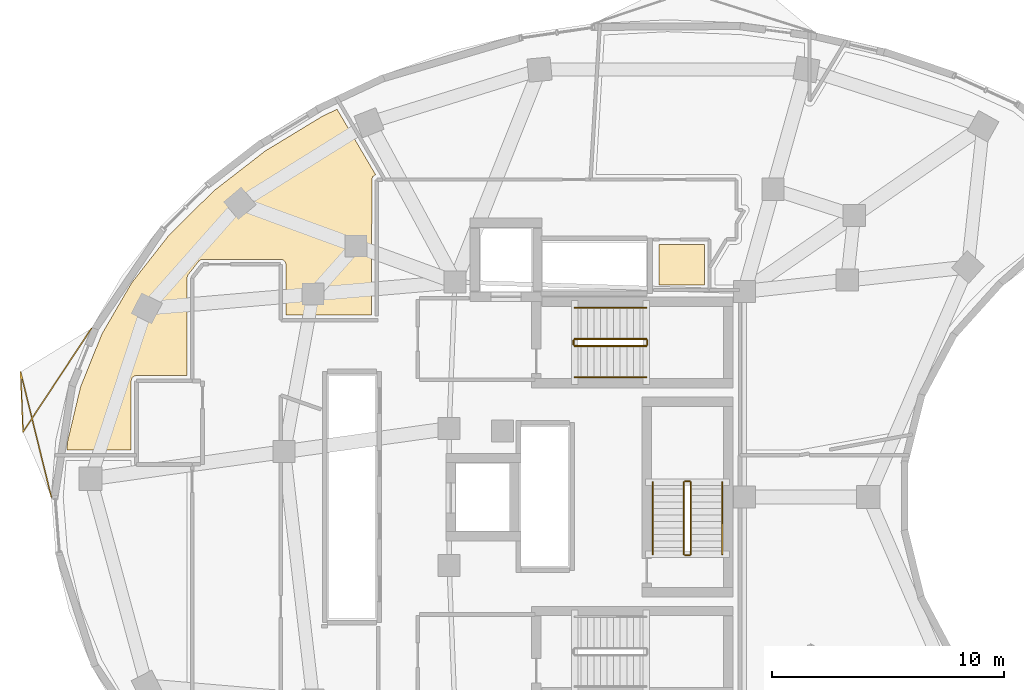
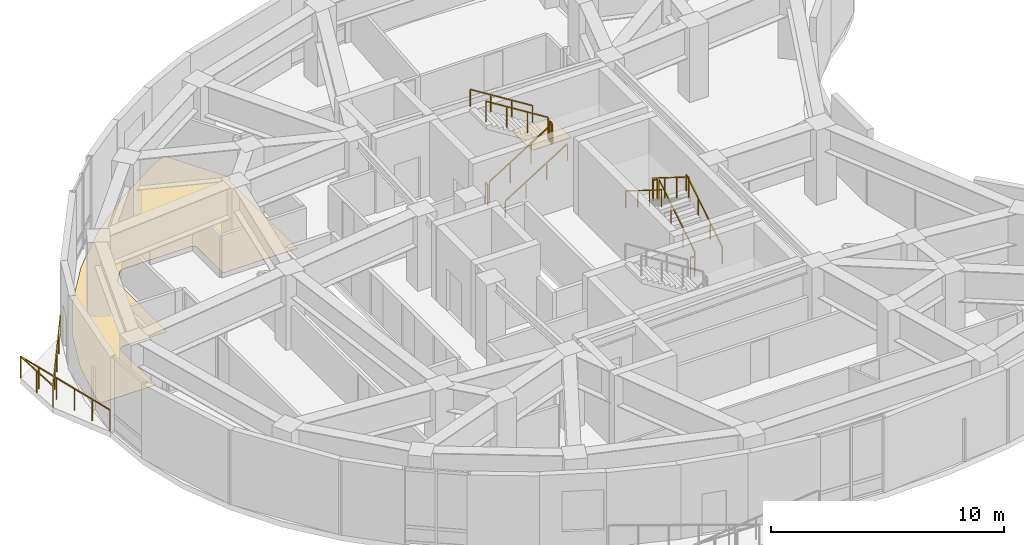
# One storey, part 11 of 12: 13 railings, 2 coverings.
"""IFC4 building model written with IfcOpenShell, lengths in metres."""

from ifc_helpers import new_model, si_unit, direction, frame, origin, origin_2d, place, context, subcontext, project, spatial, polyline, rectangle, outline, extrude, material, layer, layer_set, type_object, element, save


model = new_model("IFC4")

# Units and contexts
model_context = context("Model", 3, precision=1e-05, world=origin(), true_north=direction((0.0, 1.0)))
body_context = subcontext(model_context, "Body", "Model", "MODEL_VIEW")
ifc_project = project(units=[si_unit("LENGTHUNIT", "METRE"), si_unit("AREAUNIT", "SQUARE_METRE"), si_unit("VOLUMEUNIT", "CUBIC_METRE"), si_unit("PLANEANGLEUNIT", "RADIAN"), si_unit("MASSUNIT", "GRAM", prefix="KILO")], contexts=[model_context])

# Site, building, storey
site_placement = place(None, origin())
site = spatial("IfcSite", under=ifc_project, at=site_placement, CompositionType="ELEMENT")
building_placement = place(site_placement, origin())
building = spatial("IfcBuilding", under=site, at=building_placement, Name="Korentha Bioscience Tower", CompositionType="ELEMENT")
storey_placement = place(building_placement, frame((0.0, 0.0, 196.199951171875)))
storey = spatial("IfcBuildingStorey", under=building, at=storey_placement, Name="L45", CompositionType="ELEMENT", Elevation=196.199951171875)

# Covering
ifc_material_1 = material(Name="Vitrified Porcelain Tile", Category="ceramic")
ifc_layer_1 = layer(ifc_material_1, 0.014892578125, Name="Vitrified Porcelain Tile")
ifc_layer_set_1 = layer_set([ifc_layer_1], Name="Vitrified Porcelain Tile (FL-CER)")
covering_type_1 = type_object("IfcCoveringType", Name="Anti-Slip Ceramic Wet-Room Tile Flooring 15", PredefinedType="FLOORING", material=ifc_layer_set_1)
covering_1_placement = place(storey_placement, origin())
element("IfcCovering", 1, at=covering_1_placement, inside=storey, type_object=covering_type_1, Name="L45 Accessible Staff WC Floor Finish", PredefinedType="FLOORING", context=body_context, shape_type="SweptSolid", body=[
    extrude(outline(polyline([(33.8701171875, 36.1298828125), (33.8701171875, 37.8701171875), (35.830078125, 37.8701171875), (35.830078125, 36.1298828125), (33.8701171875, 36.1298828125)])), origin(), (0.0, 0.0, 1.0), 0.01513671875),
])

# Railings
ifc_material_2 = material(Name="Stainless Steel 304", Category="steel")
railing_type_1 = type_object("IfcRailingType", Name="Brushed Stainless Stair Handrail 900", PredefinedType="HANDRAIL", material=ifc_material_2)
railing_1_placement = place(storey_placement, frame((30.25, 32.14990234375, 0.175048828125)))
element("IfcRailing", 2, at=railing_1_placement, inside=storey, type_object=railing_type_1, Name="L45 ST-1 stair handrail 1", PredefinedType="HANDRAIL", context=body_context, shape_type="SweptSolid", body=[
    extrude(rectangle(XDim=0.048095703125, YDim=0.048095703125, at=origin_2d()), frame((0.0, 0.0, 0.8759765625), z_axis=(0.847998304005, 0.0, 0.529998940003), x_axis=(0.0, 1.0, 0.0)), (0.0, 0.0, 1.0), 3.632080078125),
    extrude(rectangle(XDim=0.0419921875, YDim=0.0419921875, at=origin_2d()), origin(), (0.0, 0.0, 1.0), 0.851806640625),
    extrude(rectangle(XDim=0.0419921875, YDim=0.0419921875, at=origin_2d()), frame((1.026611328125, 0.0, 0.6416015625)), (0.0, 0.0, 1.0), 0.851806640625),
    extrude(rectangle(XDim=0.0419921875, YDim=0.0419921875, at=origin_2d()), frame((2.053466796875, 0.0, 1.283447265625)), (0.0, 0.0, 1.0), 0.851806640625),
    extrude(rectangle(XDim=0.0419921875, YDim=0.0419921875, at=origin_2d()), frame((3.080078125, 0.0, 1.925048828125)), (0.0, 0.0, 1.0), 0.851806640625),
])
railing_2_placement = place(storey_placement, frame((33.330078125, 35.14990234375, 2.275146484375)))
element("IfcRailing", 3, at=railing_2_placement, inside=storey, type_object=railing_type_1, Name="L45 ST-1 stair handrail 2", PredefinedType="HANDRAIL", context=body_context, shape_type="SweptSolid", body=[
    extrude(rectangle(XDim=0.048095703125, YDim=0.048095703125, at=origin_2d()), frame((0.0, 0.0, 0.8759765625), z_axis=(-0.848028513186, 0.0, 0.529950602248), x_axis=(0.0, -1.0, 0.0)), (0.0, 0.0, 1.0), 3.632080078125),
    extrude(rectangle(XDim=0.0419921875, YDim=0.0419921875, at=origin_2d()), origin(), (0.0, 0.0, 1.0), 0.851806640625),
    extrude(rectangle(XDim=0.0419921875, YDim=0.0419921875, at=origin_2d()), frame((-1.026611328125, 0.0, 0.6416015625)), (0.0, 0.0, 1.0), 0.851806640625),
    extrude(rectangle(XDim=0.0419921875, YDim=0.0419921875, at=origin_2d()), frame((-2.053466796875, 0.0, 1.283203125)), (0.0, 0.0, 1.0), 0.851806640625),
    extrude(rectangle(XDim=0.0419921875, YDim=0.0419921875, at=origin_2d()), frame((-3.080078125, 0.0, 1.9248046875)), (0.0, 0.0, 1.0), 0.851806640625),
])
railing_3_placement = place(storey_placement, frame((36.60009765625, 24.550048828125, 0.175048828125)))
element("IfcRailing", 4, at=railing_3_placement, inside=storey, type_object=railing_type_1, Name="L45 ST-3 stair handrail 1", PredefinedType="HANDRAIL", context=body_context, shape_type="SweptSolid", body=[
    extrude(rectangle(XDim=0.048095703125, YDim=0.048095703125, at=origin_2d()), frame((0.0, 0.0, 0.8759765625), z_axis=(0.0, 0.847979421464, 0.530029150871), x_axis=(-1.0, 0.0, 0.0)), (0.0, 0.0, 1.0), 3.632080078125),
    extrude(rectangle(XDim=0.0419921875, YDim=0.0419921875, at=origin_2d()), origin(), (0.0, 0.0, 1.0), 0.851806640625),
    extrude(rectangle(XDim=0.0419921875, YDim=0.0419921875, at=origin_2d()), frame((0.0, 1.026611328125, 0.6416015625)), (0.0, 0.0, 1.0), 0.851806640625),
    extrude(rectangle(XDim=0.0419921875, YDim=0.0419921875, at=origin_2d()), frame((0.0, 2.05322265625, 1.283447265625)), (0.0, 0.0, 1.0), 0.851806640625),
    extrude(rectangle(XDim=0.0419921875, YDim=0.0419921875, at=origin_2d()), frame((0.0, 3.079833984375, 1.925048828125)), (0.0, 0.0, 1.0), 0.851806640625),
])
railing_4_placement = place(storey_placement, frame((33.60009765625, 27.6298828125, 2.275146484375)))
element("IfcRailing", 5, at=railing_4_placement, inside=storey, type_object=railing_type_1, Name="L45 ST-3 stair handrail 2", PredefinedType="HANDRAIL", context=body_context, shape_type="SweptSolid", body=[
    extrude(rectangle(XDim=0.048095703125, YDim=0.048095703125, at=origin_2d()), frame((0.0, 0.0, 0.8759765625), z_axis=(0.0, -0.848009633417, 0.529980812513), x_axis=(1.0, 0.0, 0.0)), (0.0, 0.0, 1.0), 3.6318359375),
    extrude(rectangle(XDim=0.0419921875, YDim=0.0419921875, at=origin_2d()), origin(), (0.0, 0.0, 1.0), 0.851806640625),
    extrude(rectangle(XDim=0.0419921875, YDim=0.0419921875, at=origin_2d()), frame((0.0, -1.026611328125, 0.6416015625)), (0.0, 0.0, 1.0), 0.851806640625),
    extrude(rectangle(XDim=0.0419921875, YDim=0.0419921875, at=origin_2d()), frame((0.0, -2.05322265625, 1.283203125)), (0.0, 0.0, 1.0), 0.851806640625),
    extrude(rectangle(XDim=0.0419921875, YDim=0.0419921875, at=origin_2d()), frame((0.0, -3.079833984375, 1.9248046875)), (0.0, 0.0, 1.0), 0.851806640625),
])
ifc_material_3 = material(Name="Laminated Tempered Safety Glass", Category="glass")
railing_type_2 = type_object("IfcRailingType", Name="Laminated Glass Balcony Guardrail 1150", PredefinedType="BALUSTRADE", material=ifc_material_3)
railing_5_placement = place(storey_placement, frame((9.454833984375, 34.246337890625, 0.0)))
element("IfcRailing", 6, at=railing_5_placement, inside=storey, type_object=railing_type_2, Name="L45 Balcony Guardrail 02", PredefinedType="BALUSTRADE", context=body_context, shape_type="SweptSolid", body=[
    extrude(rectangle(XDim=0.048095703125, YDim=0.048095703125, at=origin_2d()), frame((0.0, 0.0, 1.1259765625), z_axis=(-0.550932164864, -0.834550028289, 0.0), x_axis=(0.834550028289, -0.550932164864, 0.0)), (0.0, 0.0, 1.0), 5.3310546875),
    extrude(rectangle(XDim=0.048095703125, YDim=0.048095703125, at=origin_2d()), frame((-2.93701171875, -4.448974609375, 1.1259765625), z_axis=(-0.040615331827, 0.99917485698, 0.0), x_axis=(-0.99917485698, -0.040615331827, 0.0)), (0.0, 0.0, 1.0), 2.5908203125),
    extrude(rectangle(XDim=0.048095703125, YDim=0.048095703125, at=origin_2d()), frame((-3.042236328125, -1.8603515625, 1.1259765625), z_axis=(0.23862888536, -0.971110835627, 0.0), x_axis=(0.971110835627, 0.23862888536, 0.0)), (0.0, 0.0, 1.0), 5.546142578125),
    extrude(rectangle(XDim=0.0419921875, YDim=0.0419921875, at=origin_2d()), origin(), (0.0, 0.0, 1.0), 1.101806640625),
    extrude(rectangle(XDim=0.0419921875, YDim=0.0419921875, at=origin_2d()), frame((-0.734375, -1.1123046875, 0.0)), (0.0, 0.0, 1.0), 1.101806640625),
    extrude(rectangle(XDim=0.0419921875, YDim=0.0419921875, at=origin_2d()), frame((-1.468505859375, -2.224609375, 0.0)), (0.0, 0.0, 1.0), 1.101806640625),
    extrude(rectangle(XDim=0.0419921875, YDim=0.0419921875, at=origin_2d()), frame((-2.20263671875, -3.336669921875, 0.0)), (0.0, 0.0, 1.0), 1.101806640625),
    extrude(rectangle(XDim=0.0419921875, YDim=0.0419921875, at=origin_2d()), frame((-2.93701171875, -4.448974609375, 0.0)), (0.0, 0.0, 1.0), 1.101806640625),
    extrude(rectangle(XDim=0.0419921875, YDim=0.0419921875, at=origin_2d()), frame((-2.98974609375, -3.15478515625, 0.0)), (0.0, 0.0, 1.0), 1.101806640625),
    extrude(rectangle(XDim=0.0419921875, YDim=0.0419921875, at=origin_2d()), frame((-3.042236328125, -1.8603515625, 0.0)), (0.0, 0.0, 1.0), 1.101806640625),
    extrude(rectangle(XDim=0.0419921875, YDim=0.0419921875, at=origin_2d()), frame((-2.777587890625, -2.9375, 0.0)), (0.0, 0.0, 1.0), 1.101806640625),
    extrude(rectangle(XDim=0.0419921875, YDim=0.0419921875, at=origin_2d()), frame((-2.512939453125, -4.0146484375, 0.0)), (0.0, 0.0, 1.0), 1.101806640625),
    extrude(rectangle(XDim=0.0419921875, YDim=0.0419921875, at=origin_2d()), frame((-2.248046875, -5.092041015625, 0.0)), (0.0, 0.0, 1.0), 1.101806640625),
    extrude(rectangle(XDim=0.0419921875, YDim=0.0419921875, at=origin_2d()), frame((-1.9833984375, -6.169189453125, 0.0)), (0.0, 0.0, 1.0), 1.101806640625),
    extrude(rectangle(XDim=0.0419921875, YDim=0.0419921875, at=origin_2d()), frame((-1.71875, -7.246337890625, 0.0)), (0.0, 0.0, 1.0), 1.101806640625),
])
ifc_material_4 = material(Name="Painted Steel S275", Category="steel")
railing_type_3 = type_object("IfcRailingType", Name="Painted Steel Stair Well Guardrail 1100", PredefinedType="GUARDRAIL", material=ifc_material_4)
railing_6_placement = place(storey_placement, frame((30.25, 33.5, 0.175048828125)))
element("IfcRailing", 7, at=railing_6_placement, inside=storey, type_object=railing_type_3, Name="L45 ST-1 stair guard 1", PredefinedType="GUARDRAIL", context=body_context, shape_type="SweptSolid", body=[
    extrude(rectangle(XDim=0.048095703125, YDim=0.048095703125, at=origin_2d()), frame((0.0, 0.0, 1.076171875), z_axis=(0.847998304005, 0.0, 0.529998940003), x_axis=(0.0, 1.0, 0.0)), (0.0, 0.0, 1.0), 3.632080078125),
    extrude(rectangle(XDim=0.0419921875, YDim=0.0419921875, at=origin_2d()), origin(), (0.0, 0.0, 1.0), 1.052001953125),
    extrude(rectangle(XDim=0.0419921875, YDim=0.0419921875, at=origin_2d()), frame((1.026611328125, 0.0, 0.6416015625)), (0.0, 0.0, 1.0), 1.052001953125),
    extrude(rectangle(XDim=0.0419921875, YDim=0.0419921875, at=origin_2d()), frame((2.053466796875, 0.0, 1.283447265625)), (0.0, 0.0, 1.0), 1.052001953125),
    extrude(rectangle(XDim=0.0419921875, YDim=0.0419921875, at=origin_2d()), frame((3.080078125, 0.0, 1.925048828125)), (0.0, 0.0, 1.0), 1.052001953125),
])
railing_7_placement = place(storey_placement, frame((33.3798828125, 33.550048828125, 2.10009765625)))
element("IfcRailing", 8, at=railing_7_placement, inside=storey, type_object=railing_type_3, Name="L45 ST-1 stair guard 2", PredefinedType="GUARDRAIL", context=body_context, shape_type="SweptSolid", body=[
    extrude(rectangle(XDim=0.048095703125, YDim=0.048095703125, at=origin_2d()), frame((0.0, 0.0, 1.076171875), z_axis=(0.0, 1.0, 0.0), x_axis=(-1.0, 0.0, 0.0)), (0.0, 0.0, 1.0), 0.199951171875),
    extrude(rectangle(XDim=0.0419921875, YDim=0.0419921875, at=origin_2d()), origin(), (0.0, 0.0, 1.0), 1.052001953125),
    extrude(rectangle(XDim=0.0419921875, YDim=0.0419921875, at=origin_2d()), frame((0.0, 0.199951171875, 0.0)), (0.0, 0.0, 1.0), 1.052001953125),
])
railing_8_placement = place(storey_placement, frame((33.330078125, 33.800048828125, 2.275146484375)))
element("IfcRailing", 9, at=railing_8_placement, inside=storey, type_object=railing_type_3, Name="L45 ST-1 stair guard 3", PredefinedType="GUARDRAIL", context=body_context, shape_type="SweptSolid", body=[
    extrude(rectangle(XDim=0.048095703125, YDim=0.048095703125, at=origin_2d()), frame((0.0, 0.0, 1.076171875), z_axis=(-0.848028513186, 0.0, 0.529950602248), x_axis=(0.0, -1.0, 0.0)), (0.0, 0.0, 1.0), 3.632080078125),
    extrude(rectangle(XDim=0.0419921875, YDim=0.0419921875, at=origin_2d()), origin(), (0.0, 0.0, 1.0), 1.052001953125),
    extrude(rectangle(XDim=0.0419921875, YDim=0.0419921875, at=origin_2d()), frame((-1.026611328125, 0.0, 0.6416015625)), (0.0, 0.0, 1.0), 1.052001953125),
    extrude(rectangle(XDim=0.0419921875, YDim=0.0419921875, at=origin_2d()), frame((-2.053466796875, 0.0, 1.283203125)), (0.0, 0.0, 1.0), 1.052001953125),
    extrude(rectangle(XDim=0.0419921875, YDim=0.0419921875, at=origin_2d()), frame((-3.080078125, 0.0, 1.9248046875)), (0.0, 0.0, 1.0), 1.052001953125),
])
railing_9_placement = place(storey_placement, frame((30.199951171875, 33.550048828125, 0.0)))
element("IfcRailing", 10, at=railing_9_placement, inside=storey, type_object=railing_type_3, Name="L45 ST-1 stair guard 4", PredefinedType="GUARDRAIL", context=body_context, shape_type="SweptSolid", body=[
    extrude(rectangle(XDim=0.048095703125, YDim=0.048095703125, at=origin_2d()), frame((0.0, 0.0, 1.076171875), z_axis=(0.0, 1.0, 0.0), x_axis=(-1.0, 0.0, 0.0)), (0.0, 0.0, 1.0), 0.199951171875),
    extrude(rectangle(XDim=0.0419921875, YDim=0.0419921875, at=origin_2d()), origin(), (0.0, 0.0, 1.0), 1.052001953125),
    extrude(rectangle(XDim=0.0419921875, YDim=0.0419921875, at=origin_2d()), frame((0.0, 0.199951171875, 0.0)), (0.0, 0.0, 1.0), 1.052001953125),
])
railing_10_placement = place(storey_placement, frame((35.25, 24.550048828125, 0.175048828125)))
element("IfcRailing", 11, at=railing_10_placement, inside=storey, type_object=railing_type_3, Name="L45 ST-3 stair guard 1", PredefinedType="GUARDRAIL", context=body_context, shape_type="SweptSolid", body=[
    extrude(rectangle(XDim=0.048095703125, YDim=0.048095703125, at=origin_2d()), frame((0.0, 0.0, 1.076171875), z_axis=(0.0, 0.847979421464, 0.530029150871), x_axis=(-1.0, 0.0, 0.0)), (0.0, 0.0, 1.0), 3.632080078125),
    extrude(rectangle(XDim=0.0419921875, YDim=0.0419921875, at=origin_2d()), origin(), (0.0, 0.0, 1.0), 1.052001953125),
    extrude(rectangle(XDim=0.0419921875, YDim=0.0419921875, at=origin_2d()), frame((0.0, 1.026611328125, 0.6416015625)), (0.0, 0.0, 1.0), 1.052001953125),
    extrude(rectangle(XDim=0.0419921875, YDim=0.0419921875, at=origin_2d()), frame((0.0, 2.05322265625, 1.283447265625)), (0.0, 0.0, 1.0), 1.052001953125),
    extrude(rectangle(XDim=0.0419921875, YDim=0.0419921875, at=origin_2d()), frame((0.0, 3.079833984375, 1.925048828125)), (0.0, 0.0, 1.0), 1.052001953125),
])
railing_11_placement = place(storey_placement, frame((35.199951171875, 27.679931640625, 2.10009765625)))
element("IfcRailing", 12, at=railing_11_placement, inside=storey, type_object=railing_type_3, Name="L45 ST-3 stair guard 2", PredefinedType="GUARDRAIL", context=body_context, shape_type="SweptSolid", body=[
    extrude(rectangle(XDim=0.048095703125, YDim=0.048095703125, at=origin_2d()), frame((0.0, 0.0, 1.076171875), z_axis=(-1.0, 0.0, 0.0), x_axis=(0.0, -1.0, 0.0)), (0.0, 0.0, 1.0), 0.199951171875),
    extrude(rectangle(XDim=0.0419921875, YDim=0.0419921875, at=origin_2d()), origin(), (0.0, 0.0, 1.0), 1.052001953125),
    extrude(rectangle(XDim=0.0419921875, YDim=0.0419921875, at=origin_2d()), frame((-0.199951171875, 0.0, 0.0)), (0.0, 0.0, 1.0), 1.052001953125),
])
railing_12_placement = place(storey_placement, frame((34.949951171875, 27.6298828125, 2.275146484375)))
element("IfcRailing", 13, at=railing_12_placement, inside=storey, type_object=railing_type_3, Name="L45 ST-3 stair guard 3", PredefinedType="GUARDRAIL", context=body_context, shape_type="SweptSolid", body=[
    extrude(rectangle(XDim=0.048095703125, YDim=0.048095703125, at=origin_2d()), frame((0.0, 0.0, 1.076171875), z_axis=(0.0, -0.848009633417, 0.529980812513), x_axis=(1.0, 0.0, 0.0)), (0.0, 0.0, 1.0), 3.6318359375),
    extrude(rectangle(XDim=0.0419921875, YDim=0.0419921875, at=origin_2d()), origin(), (0.0, 0.0, 1.0), 1.052001953125),
    extrude(rectangle(XDim=0.0419921875, YDim=0.0419921875, at=origin_2d()), frame((0.0, -1.026611328125, 0.6416015625)), (0.0, 0.0, 1.0), 1.052001953125),
    extrude(rectangle(XDim=0.0419921875, YDim=0.0419921875, at=origin_2d()), frame((0.0, -2.05322265625, 1.283203125)), (0.0, 0.0, 1.0), 1.052001953125),
    extrude(rectangle(XDim=0.0419921875, YDim=0.0419921875, at=origin_2d()), frame((0.0, -3.079833984375, 1.9248046875)), (0.0, 0.0, 1.0), 1.052001953125),
])
railing_13_placement = place(storey_placement, frame((35.199951171875, 24.5, 0.0)))
element("IfcRailing", 14, at=railing_13_placement, inside=storey, type_object=railing_type_3, Name="L45 ST-3 stair guard 4", PredefinedType="GUARDRAIL", context=body_context, shape_type="SweptSolid", body=[
    extrude(rectangle(XDim=0.048095703125, YDim=0.048095703125, at=origin_2d()), frame((0.0, 0.0, 1.076171875), z_axis=(-1.0, 0.0, 0.0), x_axis=(0.0, -1.0, 0.0)), (0.0, 0.0, 1.0), 0.199951171875),
    extrude(rectangle(XDim=0.0419921875, YDim=0.0419921875, at=origin_2d()), origin(), (0.0, 0.0, 1.0), 1.052001953125),
    extrude(rectangle(XDim=0.0419921875, YDim=0.0419921875, at=origin_2d()), frame((-0.199951171875, 0.0, 0.0)), (0.0, 0.0, 1.0), 1.052001953125),
])

# Covering
ifc_material_5 = material(Name="Chemical-Resistant Epoxy Resin", Category="polymer")
ifc_layer_2 = layer(ifc_material_5, 0.011962890625, Name="Chemical-Resistant Epoxy Resin")
ifc_layer_set_2 = layer_set([ifc_layer_2], Name="Chemical-Resistant Epoxy Resin (FL-EPX)")
covering_type_2 = type_object("IfcCoveringType", Name="Seamless Epoxy Laboratory Flooring 12", PredefinedType="FLOORING", material=ifc_layer_set_2)
covering_2_placement = place(storey_placement, origin())
element("IfcCovering", 15, at=covering_2_placement, inside=storey, type_object=covering_type_2, Name="L45 Fluorescence Confocal Microscopy Room 09 Floor Finish", PredefinedType="FLOORING", context=body_context, shape_type="SweptSolid", body=[
    extrude(outline(polyline([(8.991943359375, 31.734619140625), (9.913818359375, 34.0205078125), (11.189208984375, 36.21142578125), (12.80078125, 38.27294921875), (14.72705078125, 40.175537109375), (16.940673828125, 41.890380859375), (19.41064453125, 43.3916015625), (20.029296875, 43.681884765625), (21.685302734375, 40.87060546875), (21.565673828125, 40.787353515625), (21.520263671875, 40.660888671875), (21.52001953125, 34.830078125), (17.830078125, 34.830078125), (17.82958984375, 37.0107421875), (17.797607421875, 37.117919921875), (17.71875, 37.197021484375), (17.60009765625, 37.22998046875), (14.198486328125, 37.222900390625), (14.1337890625, 37.1953125), (14.07421875, 37.1416015625), (13.612548828125, 36.55078125), (13.572265625, 36.449462890625), (13.570068359375, 32.22998046875), (11.38916015625, 32.229736328125), (11.30126953125, 32.207763671875), (11.215576171875, 32.137451171875), (11.169921875, 32.0), (11.169921875, 29.028076171875), (8.40625, 29.028076171875), (8.43408203125, 29.38330078125), (8.991943359375, 31.734619140625)])), origin(), (0.0, 0.0, 1.0), 0.011962890625),
])

save(model, "model.ifc")
